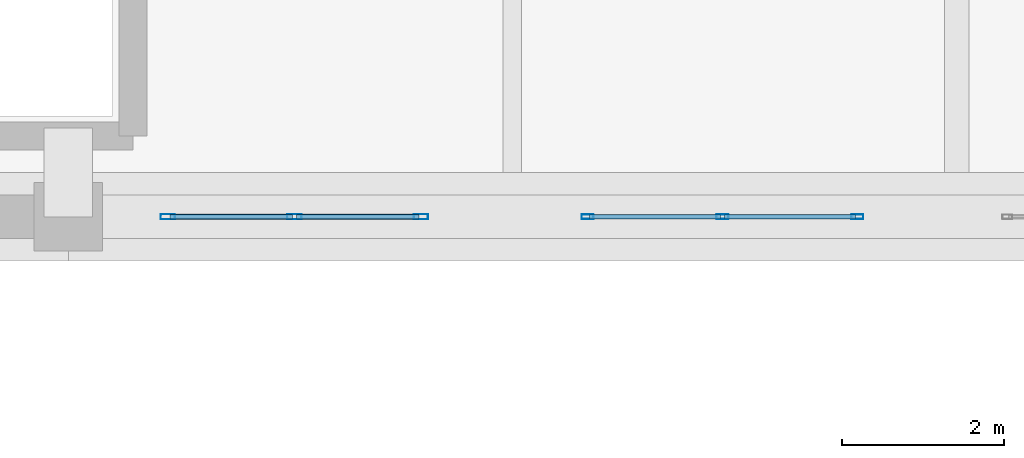
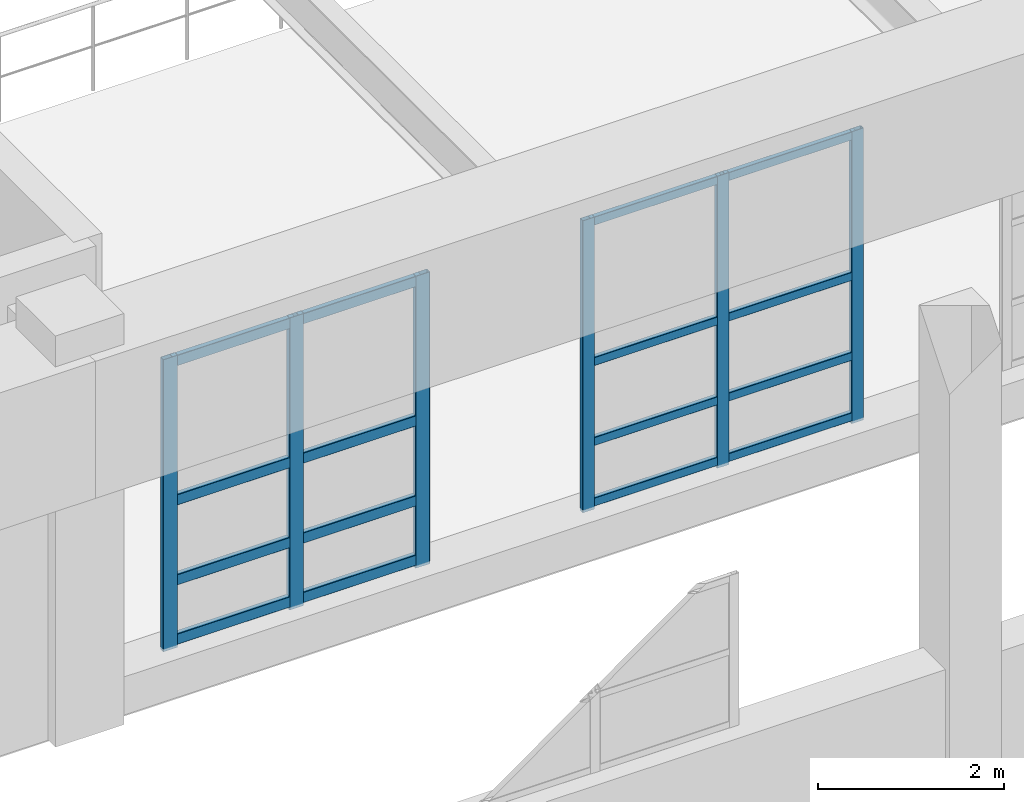
# One storey, part 25 of 197: 22 members, 2 elements without a shape of their own.
"""IFC4 building model written with IfcOpenShell, lengths in metres."""

from ifc_helpers import new_model, si_unit, derived_unit, direction, frame, origin, origin_2d, place, context, subcontext, project, spatial, hollow_rectangle, extrude, material, layer, layer_set, material_profile, profile_set, type_object, element, aggregate, save


model = new_model("IFC4")

# Units and contexts
model_context = context("Model", 3, precision=1e-05, world=origin(), true_north=direction((0.0, 1.0)))
body_context = subcontext(model_context, "Body", "Model", "MODEL_VIEW")
ifc_project = project(units=[si_unit("LENGTHUNIT", "METRE"), si_unit("AREAUNIT", "SQUARE_METRE"), si_unit("VOLUMEUNIT", "CUBIC_METRE"), si_unit("PLANEANGLEUNIT", "RADIAN"), si_unit("MASSUNIT", "GRAM", prefix="KILO"), derived_unit("THERMALTRANSMITTANCEUNIT", [(si_unit("POWERUNIT", "WATT"), 1), (si_unit("LENGTHUNIT", "METRE"), -2), (si_unit("THERMODYNAMICTEMPERATUREUNIT", "KELVIN"), -1)])], contexts=[model_context])

# Site, building, storey
site_placement = place(None, origin())
site = spatial("IfcSite", under=ifc_project, at=site_placement, CompositionType="ELEMENT")
building_placement = place(site_placement, origin())
building = spatial("IfcBuilding", under=site, at=building_placement, Name="Almenara Railside Exhibition Hall", CompositionType="ELEMENT")
storey_placement = place(building_placement, frame((0.0, 0.0, 5.39990234375)))
storey = spatial("IfcBuildingStorey", under=building, at=storey_placement, Name="L01", CompositionType="ELEMENT", Elevation=5.39990234375)

# Curtain wall, members
ifc_material_1 = material(Name="Bronze-anodised aluminium and low-E double glazing", Category="aluminium")
ifc_layer_1 = layer(ifc_material_1, 0.179931640625, Name="Bronze-anodised aluminium and low-E double glazing")
ifc_layer_set_1 = layer_set([ifc_layer_1], Name="Bronze-anodised aluminium and low-E double glazing")
curtain_wall_type_1 = type_object("IfcCurtainWallType", Name="Scroll Gable Mid Curtain Wall 3400x4400", PredefinedType="NOTDEFINED", material=ifc_layer_set_1)
curtain_wall_1_placement = place(storey_placement, origin())
curtain_wall_1 = element("IfcCurtainWall", 1, at=curtain_wall_1_placement, inside=storey, type_object=curtain_wall_type_1, Name="Curtain wall CW-G3-026", PredefinedType="NOTDEFINED")
ifc_material_2 = material(Name="Bronze-anodised aluminium", Category="aluminium")
ifc_material_profile_1 = material_profile(ifc_material_2, hollow_rectangle(XDim=0.06005859375, YDim=0.14990234375, WallThickness=0.00341796875, InnerFilletRadius=0.00341796875, OuterFilletRadius=0.007080078125, at=origin_2d()), Name="ALU-MUL 60x150x3.5")
ifc_profile_set_1 = profile_set([ifc_material_profile_1], Name="Bronze-anodised aluminium")
member_type_1 = type_object("IfcMemberType", Name="Curtain Wall Mullion 60x150x3.5", PredefinedType="MULLION", material=ifc_profile_set_1)
member_1_placement = place(storey_placement, frame((28.830078125, 48.0, 0.465087890625), z_axis=(0.0, 0.0, 1.0), x_axis=(0.0, 1.0, 0.0)))
member_1 = element("IfcMember", 2, at=member_1_placement, type_object=member_type_1, Name="CW-G3-026 mullion 1", PredefinedType="MULLION", context=body_context, shape_type="SweptSolid", body=[
    extrude(hollow_rectangle(XDim=0.06005859375, YDim=0.14990234375, WallThickness=0.00341796875, InnerFilletRadius=0.00341796875, OuterFilletRadius=0.007080078125, at=origin_2d()), origin(), (0.0, 0.0, 1.0), 3.8349609375),
])
member_2_placement = place(storey_placement, frame((30.5, 48.0, 0.465087890625), z_axis=(0.0, 0.0, 1.0), x_axis=(0.0, 1.0, 0.0)))
member_2 = element("IfcMember", 3, at=member_2_placement, type_object=member_type_1, Name="CW-G3-026 mullion 2", PredefinedType="MULLION", context=body_context, shape_type="SweptSolid", body=[
    extrude(hollow_rectangle(XDim=0.06005859375, YDim=0.14990234375, WallThickness=0.00341796875, InnerFilletRadius=0.00341796875, OuterFilletRadius=0.007080078125, at=origin_2d()), origin(), (0.0, 0.0, 1.0), 3.8349609375),
])
member_3_placement = place(storey_placement, frame((32.169921875, 48.0, 0.465087890625), z_axis=(0.0, 0.0, 1.0), x_axis=(0.0, 1.0, 0.0)))
member_3 = element("IfcMember", 4, at=member_3_placement, type_object=member_type_1, Name="CW-G3-026 mullion 3", PredefinedType="MULLION", context=body_context, shape_type="SweptSolid", body=[
    extrude(hollow_rectangle(XDim=0.06005859375, YDim=0.14990234375, WallThickness=0.00341796875, InnerFilletRadius=0.00341796875, OuterFilletRadius=0.007080078125, at=origin_2d()), origin(), (0.0, 0.0, 1.0), 3.8349609375),
])

ifc_layer_2 = layer(ifc_material_1, 0.179931640625, Name="Bronze-anodised aluminium and low-E double glazing")
ifc_layer_set_2 = layer_set([ifc_layer_2], Name="Bronze-anodised aluminium and low-E double glazing")
curtain_wall_type_2 = type_object("IfcCurtainWallType", Name="Scroll Gable Side Curtain Wall 3200x3800", PredefinedType="NOTDEFINED", material=ifc_layer_set_2)
curtain_wall_2_placement = place(storey_placement, origin())
curtain_wall_2 = element("IfcCurtainWall", 5, at=curtain_wall_2_placement, inside=storey, type_object=curtain_wall_type_2, Name="Curtain wall CW-G4-025", PredefinedType="NOTDEFINED")
ifc_material_profile_2 = material_profile(ifc_material_2, hollow_rectangle(XDim=0.06494140625, YDim=0.179931640625, WallThickness=0.00390625, InnerFilletRadius=0.00390625, OuterFilletRadius=0.008056640625, at=origin_2d()), Name="ALU-MUL 65x180x4")
ifc_profile_set_2 = profile_set([ifc_material_profile_2], Name="Bronze-anodised aluminium")
member_type_2 = type_object("IfcMemberType", Name="Curtain Wall Mullion 65x180x4", PredefinedType="MULLION", material=ifc_profile_set_2)
member_4_placement = place(storey_placement, frame((23.632568359375, 48.0, 0.465087890625), z_axis=(0.0, 0.0, 1.0), x_axis=(0.0, 1.0, 0.0)))
member_4 = element("IfcMember", 6, at=member_4_placement, type_object=member_type_2, Name="CW-G4-025 mullion 1", PredefinedType="MULLION", context=body_context, shape_type="SweptSolid", body=[
    extrude(hollow_rectangle(XDim=0.06494140625, YDim=0.179931640625, WallThickness=0.00390625, InnerFilletRadius=0.00390625, OuterFilletRadius=0.008056640625, at=origin_2d()), origin(), (0.0, 0.0, 1.0), 3.8349609375),
])
member_5_placement = place(storey_placement, frame((25.199951171875, 48.0, 0.465087890625), z_axis=(0.0, 0.0, 1.0), x_axis=(0.0, 1.0, 0.0)))
member_5 = element("IfcMember", 7, at=member_5_placement, type_object=member_type_2, Name="CW-G4-025 mullion 2", PredefinedType="MULLION", context=body_context, shape_type="SweptSolid", body=[
    extrude(hollow_rectangle(XDim=0.06494140625, YDim=0.179931640625, WallThickness=0.00390625, InnerFilletRadius=0.00390625, OuterFilletRadius=0.008056640625, at=origin_2d()), origin(), (0.0, 0.0, 1.0), 3.8349609375),
])
member_6_placement = place(storey_placement, frame((26.767578125, 48.0, 0.465087890625), z_axis=(0.0, 0.0, 1.0), x_axis=(0.0, 1.0, 0.0)))
member_6 = element("IfcMember", 8, at=member_6_placement, type_object=member_type_2, Name="CW-G4-025 mullion 3", PredefinedType="MULLION", context=body_context, shape_type="SweptSolid", body=[
    extrude(hollow_rectangle(XDim=0.06494140625, YDim=0.179931640625, WallThickness=0.00390625, InnerFilletRadius=0.00390625, OuterFilletRadius=0.008056640625, at=origin_2d()), origin(), (0.0, 0.0, 1.0), 3.8349609375),
])

# Member
ifc_material_profile_3 = material_profile(ifc_material_2, hollow_rectangle(XDim=0.06005859375, YDim=0.110107421875, WallThickness=0.0029296875, InnerFilletRadius=0.0029296875, OuterFilletRadius=0.006103515625, at=origin_2d()), Name="ALU-TRN 60x110x3")
ifc_profile_set_3 = profile_set([ifc_material_profile_3], Name="Bronze-anodised aluminium")
member_type_3 = type_object("IfcMemberType", Name="Curtain Wall Transom 60x110x3", PredefinedType="USERDEFINED", material=ifc_profile_set_3)
member_7_placement = place(storey_placement, frame((28.85205078125, 48.0, 0.55517578125), z_axis=(1.0, 0.0, 0.0), x_axis=(0.0, 1.0, 0.0)))
member_7 = element("IfcMember", 9, at=member_7_placement, type_object=member_type_3, Name="CW-G3-026 transom 1.1", ObjectType="TRANSOM", PredefinedType="USERDEFINED", context=body_context, shape_type="SweptSolid", body=[
    extrude(hollow_rectangle(XDim=0.06005859375, YDim=0.110107421875, WallThickness=0.0029296875, InnerFilletRadius=0.0029296875, OuterFilletRadius=0.006103515625, at=origin_2d()), origin(), (0.0, 0.0, 1.0), 1.6259765625),
])

member_8_placement = place(storey_placement, frame((28.85205078125, 48.0, 1.35009765625), z_axis=(1.0, 0.0, 0.0), x_axis=(0.0, 1.0, 0.0)))
member_8 = element("IfcMember", 10, at=member_8_placement, type_object=member_type_3, Name="CW-G3-026 transom 1.2", ObjectType="TRANSOM", PredefinedType="USERDEFINED", context=body_context, shape_type="SweptSolid", body=[
    extrude(hollow_rectangle(XDim=0.06005859375, YDim=0.110107421875, WallThickness=0.0029296875, InnerFilletRadius=0.0029296875, OuterFilletRadius=0.006103515625, at=origin_2d()), origin(), (0.0, 0.0, 1.0), 1.6259765625),
])

member_9_placement = place(storey_placement, frame((28.85205078125, 48.0, 2.400146484375), z_axis=(1.0, 0.0, 0.0), x_axis=(0.0, 1.0, 0.0)))
member_9 = element("IfcMember", 11, at=member_9_placement, type_object=member_type_3, Name="CW-G3-026 transom 1.3", ObjectType="TRANSOM", PredefinedType="USERDEFINED", context=body_context, shape_type="SweptSolid", body=[
    extrude(hollow_rectangle(XDim=0.06005859375, YDim=0.110107421875, WallThickness=0.0029296875, InnerFilletRadius=0.0029296875, OuterFilletRadius=0.006103515625, at=origin_2d()), origin(), (0.0, 0.0, 1.0), 1.6259765625),
])

member_10_placement = place(storey_placement, frame((28.85205078125, 48.0, 4.2451171875), z_axis=(1.0, 0.0, 0.0), x_axis=(0.0, 1.0, 0.0)))
member_10 = element("IfcMember", 12, at=member_10_placement, type_object=member_type_3, Name="CW-G3-026 transom 1.4", ObjectType="TRANSOM", PredefinedType="USERDEFINED", context=body_context, shape_type="SweptSolid", body=[
    extrude(hollow_rectangle(XDim=0.06005859375, YDim=0.110107421875, WallThickness=0.0029296875, InnerFilletRadius=0.0029296875, OuterFilletRadius=0.006103515625, at=origin_2d()), origin(), (0.0, 0.0, 1.0), 1.6259765625),
])

member_11_placement = place(storey_placement, frame((30.52197265625, 48.0, 0.55517578125), z_axis=(1.0, 0.0, 0.0), x_axis=(0.0, 1.0, 0.0)))
member_11 = element("IfcMember", 13, at=member_11_placement, type_object=member_type_3, Name="CW-G3-026 transom 2.1", ObjectType="TRANSOM", PredefinedType="USERDEFINED", context=body_context, shape_type="SweptSolid", body=[
    extrude(hollow_rectangle(XDim=0.06005859375, YDim=0.110107421875, WallThickness=0.0029296875, InnerFilletRadius=0.0029296875, OuterFilletRadius=0.006103515625, at=origin_2d()), origin(), (0.0, 0.0, 1.0), 1.6259765625),
])

member_12_placement = place(storey_placement, frame((30.52197265625, 48.0, 1.35009765625), z_axis=(1.0, 0.0, 0.0), x_axis=(0.0, 1.0, 0.0)))
member_12 = element("IfcMember", 14, at=member_12_placement, type_object=member_type_3, Name="CW-G3-026 transom 2.2", ObjectType="TRANSOM", PredefinedType="USERDEFINED", context=body_context, shape_type="SweptSolid", body=[
    extrude(hollow_rectangle(XDim=0.06005859375, YDim=0.110107421875, WallThickness=0.0029296875, InnerFilletRadius=0.0029296875, OuterFilletRadius=0.006103515625, at=origin_2d()), origin(), (0.0, 0.0, 1.0), 1.6259765625),
])

member_13_placement = place(storey_placement, frame((30.52197265625, 48.0, 2.400146484375), z_axis=(1.0, 0.0, 0.0), x_axis=(0.0, 1.0, 0.0)))
member_13 = element("IfcMember", 15, at=member_13_placement, type_object=member_type_3, Name="CW-G3-026 transom 2.3", ObjectType="TRANSOM", PredefinedType="USERDEFINED", context=body_context, shape_type="SweptSolid", body=[
    extrude(hollow_rectangle(XDim=0.06005859375, YDim=0.110107421875, WallThickness=0.0029296875, InnerFilletRadius=0.0029296875, OuterFilletRadius=0.006103515625, at=origin_2d()), origin(), (0.0, 0.0, 1.0), 1.6259765625),
])

member_14_placement = place(storey_placement, frame((30.52197265625, 48.0, 4.2451171875), z_axis=(1.0, 0.0, 0.0), x_axis=(0.0, 1.0, 0.0)))
member_14 = element("IfcMember", 16, at=member_14_placement, type_object=member_type_3, Name="CW-G3-026 transom 2.4", ObjectType="TRANSOM", PredefinedType="USERDEFINED", context=body_context, shape_type="SweptSolid", body=[
    extrude(hollow_rectangle(XDim=0.06005859375, YDim=0.110107421875, WallThickness=0.0029296875, InnerFilletRadius=0.0029296875, OuterFilletRadius=0.006103515625, at=origin_2d()), origin(), (0.0, 0.0, 1.0), 1.6259765625),
])

aggregate(curtain_wall_1, [member_1, member_2, member_3, member_7, member_8, member_9, member_10, member_11, member_12, member_13, member_14])

ifc_material_profile_4 = material_profile(ifc_material_2, hollow_rectangle(XDim=0.06494140625, YDim=0.139892578125, WallThickness=0.00341796875, InnerFilletRadius=0.00341796875, OuterFilletRadius=0.007080078125, at=origin_2d()), Name="ALU-TRN 65x140x3.5")
ifc_profile_set_4 = profile_set([ifc_material_profile_4], Name="Bronze-anodised aluminium")
member_type_4 = type_object("IfcMemberType", Name="Curtain Wall Transom 65x140x3.5", PredefinedType="USERDEFINED", material=ifc_profile_set_4)
member_15_placement = place(storey_placement, frame((23.656982421875, 48.0, 0.570068359375), z_axis=(1.0, 0.0, 0.0), x_axis=(0.0, 1.0, 0.0)))
member_15 = element("IfcMember", 17, at=member_15_placement, type_object=member_type_4, Name="CW-G4-025 transom 1.1", ObjectType="TRANSOM", PredefinedType="USERDEFINED", context=body_context, shape_type="SweptSolid", body=[
    extrude(hollow_rectangle(XDim=0.06494140625, YDim=0.139892578125, WallThickness=0.00341796875, InnerFilletRadius=0.00341796875, OuterFilletRadius=0.007080078125, at=origin_2d()), origin(), (0.0, 0.0, 1.0), 1.5185546875),
])

member_16_placement = place(storey_placement, frame((23.656982421875, 48.0, 1.35009765625), z_axis=(1.0, 0.0, 0.0), x_axis=(0.0, 1.0, 0.0)))
member_16 = element("IfcMember", 18, at=member_16_placement, type_object=member_type_4, Name="CW-G4-025 transom 1.2", ObjectType="TRANSOM", PredefinedType="USERDEFINED", context=body_context, shape_type="SweptSolid", body=[
    extrude(hollow_rectangle(XDim=0.06494140625, YDim=0.139892578125, WallThickness=0.00341796875, InnerFilletRadius=0.00341796875, OuterFilletRadius=0.007080078125, at=origin_2d()), origin(), (0.0, 0.0, 1.0), 1.5185546875),
])

member_17_placement = place(storey_placement, frame((23.656982421875, 48.0, 2.400146484375), z_axis=(1.0, 0.0, 0.0), x_axis=(0.0, 1.0, 0.0)))
member_17 = element("IfcMember", 19, at=member_17_placement, type_object=member_type_4, Name="CW-G4-025 transom 1.3", ObjectType="TRANSOM", PredefinedType="USERDEFINED", context=body_context, shape_type="SweptSolid", body=[
    extrude(hollow_rectangle(XDim=0.06494140625, YDim=0.139892578125, WallThickness=0.00341796875, InnerFilletRadius=0.00341796875, OuterFilletRadius=0.007080078125, at=origin_2d()), origin(), (0.0, 0.0, 1.0), 1.5185546875),
])

member_18_placement = place(storey_placement, frame((23.656982421875, 48.0, 4.22998046875), z_axis=(1.0, 0.0, 0.0), x_axis=(0.0, 1.0, 0.0)))
member_18 = element("IfcMember", 20, at=member_18_placement, type_object=member_type_4, Name="CW-G4-025 transom 1.4", ObjectType="TRANSOM", PredefinedType="USERDEFINED", context=body_context, shape_type="SweptSolid", body=[
    extrude(hollow_rectangle(XDim=0.06494140625, YDim=0.139892578125, WallThickness=0.00341796875, InnerFilletRadius=0.00341796875, OuterFilletRadius=0.007080078125, at=origin_2d()), origin(), (0.0, 0.0, 1.0), 1.5185546875),
])

member_19_placement = place(storey_placement, frame((25.224609375, 48.0, 0.570068359375), z_axis=(1.0, 0.0, 0.0), x_axis=(0.0, 1.0, 0.0)))
member_19 = element("IfcMember", 21, at=member_19_placement, type_object=member_type_4, Name="CW-G4-025 transom 2.1", ObjectType="TRANSOM", PredefinedType="USERDEFINED", context=body_context, shape_type="SweptSolid", body=[
    extrude(hollow_rectangle(XDim=0.06494140625, YDim=0.139892578125, WallThickness=0.00341796875, InnerFilletRadius=0.00341796875, OuterFilletRadius=0.007080078125, at=origin_2d()), origin(), (0.0, 0.0, 1.0), 1.518310546875),
])

member_20_placement = place(storey_placement, frame((25.224609375, 48.0, 1.35009765625), z_axis=(1.0, 0.0, 0.0), x_axis=(0.0, 1.0, 0.0)))
member_20 = element("IfcMember", 22, at=member_20_placement, type_object=member_type_4, Name="CW-G4-025 transom 2.2", ObjectType="TRANSOM", PredefinedType="USERDEFINED", context=body_context, shape_type="SweptSolid", body=[
    extrude(hollow_rectangle(XDim=0.06494140625, YDim=0.139892578125, WallThickness=0.00341796875, InnerFilletRadius=0.00341796875, OuterFilletRadius=0.007080078125, at=origin_2d()), origin(), (0.0, 0.0, 1.0), 1.518310546875),
])

member_21_placement = place(storey_placement, frame((25.224609375, 48.0, 2.400146484375), z_axis=(1.0, 0.0, 0.0), x_axis=(0.0, 1.0, 0.0)))
member_21 = element("IfcMember", 23, at=member_21_placement, type_object=member_type_4, Name="CW-G4-025 transom 2.3", ObjectType="TRANSOM", PredefinedType="USERDEFINED", context=body_context, shape_type="SweptSolid", body=[
    extrude(hollow_rectangle(XDim=0.06494140625, YDim=0.139892578125, WallThickness=0.00341796875, InnerFilletRadius=0.00341796875, OuterFilletRadius=0.007080078125, at=origin_2d()), origin(), (0.0, 0.0, 1.0), 1.518310546875),
])

member_22_placement = place(storey_placement, frame((25.224609375, 48.0, 4.22998046875), z_axis=(1.0, 0.0, 0.0), x_axis=(0.0, 1.0, 0.0)))
member_22 = element("IfcMember", 24, at=member_22_placement, type_object=member_type_4, Name="CW-G4-025 transom 2.4", ObjectType="TRANSOM", PredefinedType="USERDEFINED", context=body_context, shape_type="SweptSolid", body=[
    extrude(hollow_rectangle(XDim=0.06494140625, YDim=0.139892578125, WallThickness=0.00341796875, InnerFilletRadius=0.00341796875, OuterFilletRadius=0.007080078125, at=origin_2d()), origin(), (0.0, 0.0, 1.0), 1.518310546875),
])

aggregate(curtain_wall_2, [member_4, member_5, member_6, member_15, member_16, member_17, member_18, member_19, member_20, member_21, member_22])

save(model, "model.ifc")
